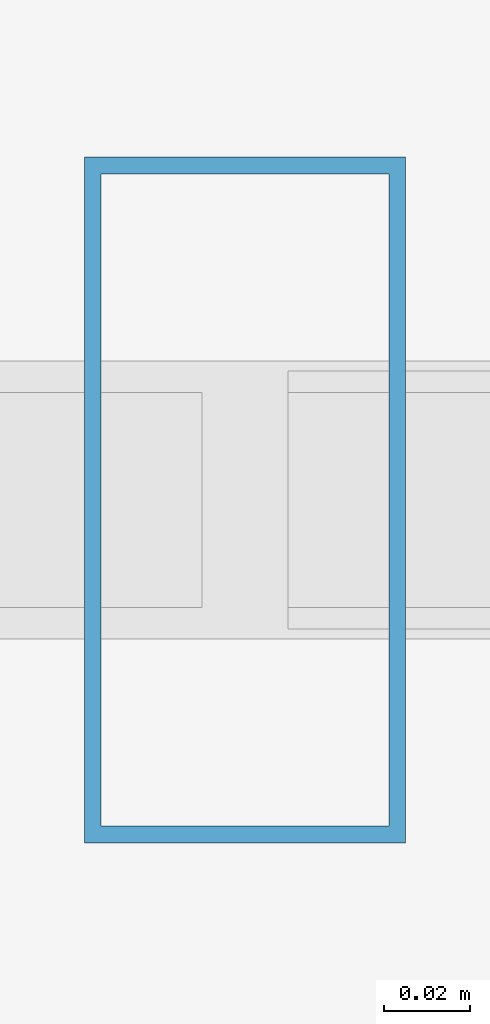
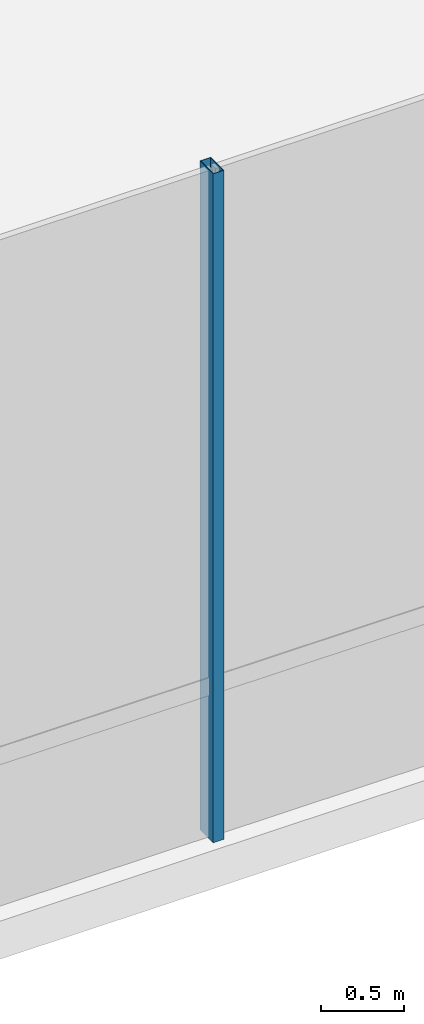
# One storey, part 8 of 39: 1 member, 1 element without a shape of its own.
"""IFC4 building model written with IfcOpenShell, lengths in metres."""

from ifc_helpers import new_model, si_unit, direction, frame, origin, origin_2d, place, context, subcontext, project, spatial, hollow_rectangle, extrude, source, transform, mapped, material, material_profile, profile_set, type_object, element, aggregate, save


model = new_model("IFC4")

# Units and contexts
model_context = context("Model", 3, precision=1e-05, world=origin(), true_north=direction((0.0, 1.0)))
body_context = subcontext(model_context, "Body", "Model", "MODEL_VIEW")
ifc_project = project(units=[si_unit("LENGTHUNIT", "METRE"), si_unit("AREAUNIT", "SQUARE_METRE"), si_unit("VOLUMEUNIT", "CUBIC_METRE"), si_unit("PLANEANGLEUNIT", "RADIAN"), si_unit("MASSUNIT", "GRAM", prefix="KILO")], contexts=[model_context])

# Site, building, storey
site_placement = place(None, origin())
site = spatial("IfcSite", under=ifc_project, at=site_placement, CompositionType="ELEMENT")
building_placement = place(site_placement, origin())
building = spatial("IfcBuilding", under=site, at=building_placement, Name="Valdorenza Pilgrim Sanctuary Tower", CompositionType="ELEMENT")
storey_placement = place(building_placement, frame((0.0, 0.0, 5.199951171875)))
storey = spatial("IfcBuildingStorey", under=building, at=storey_placement, Name="L01", CompositionType="ELEMENT", Elevation=5.199951171875)

# Curtain wall, member
ifc_material_1 = material(Name="Curtain-wall IGU glazing", Category="glass")
curtain_wall_type = type_object("IfcCurtainWallType", Name="CW-SYS-01", PredefinedType="NOTDEFINED", material=ifc_material_1)
curtain_wall_placement = place(storey_placement, origin())
curtain_wall = element("IfcCurtainWall", 1, at=curtain_wall_placement, inside=storey, type_object=curtain_wall_type, Name="L01 Curtain Wall CW-POD-L01-ARCH-BACK", PredefinedType="NOTDEFINED")
ifc_material_2 = material(Name="Anodised aluminium AW-6060", Category="aluminium")
ifc_material_profile = material_profile(ifc_material_2, hollow_rectangle(XDim=0.074951171875, YDim=0.159912109375, WallThickness=0.00390625, at=origin_2d()), Name="ALU-M 160x75x4")
ifc_profile_set = profile_set([ifc_material_profile], Name="Anodised aluminium AW-6060")
member_type = type_object("IfcMemberType", Name="CW-MUL-01", PredefinedType="MULLION", material=ifc_profile_set)
shared_shape = source(origin(), body_context, "Body", "SweptSolid", [
    extrude(hollow_rectangle(XDim=0.074951171875, YDim=0.159912109375, WallThickness=0.00390625, at=origin_2d()), origin(), (0.0, 0.0, 1.0), 4.920166015625),
])
member_placement = place(storey_placement, frame((0.0, -5.85009765625, 0.0), z_axis=(0.0, 0.0, 1.0), x_axis=(1.0, 0.0, 0.0)))
member = element("IfcMember", 2, at=member_placement, type_object=member_type, Name="CW-POD-L01-ARCH-BACK Mullion 3", PredefinedType="MULLION", context=body_context, shape_type="MappedRepresentation", body=[
    mapped(shared_shape, transform((0.0, 0.0, 0.0), x_axis=(1.0, 0.0, 0.0), y_axis=(0.0, 1.0, 0.0), z_axis=(0.0, 0.0, 1.0), scale=1.0)),
])
aggregate(curtain_wall, [member])

save(model, "model.ifc")
